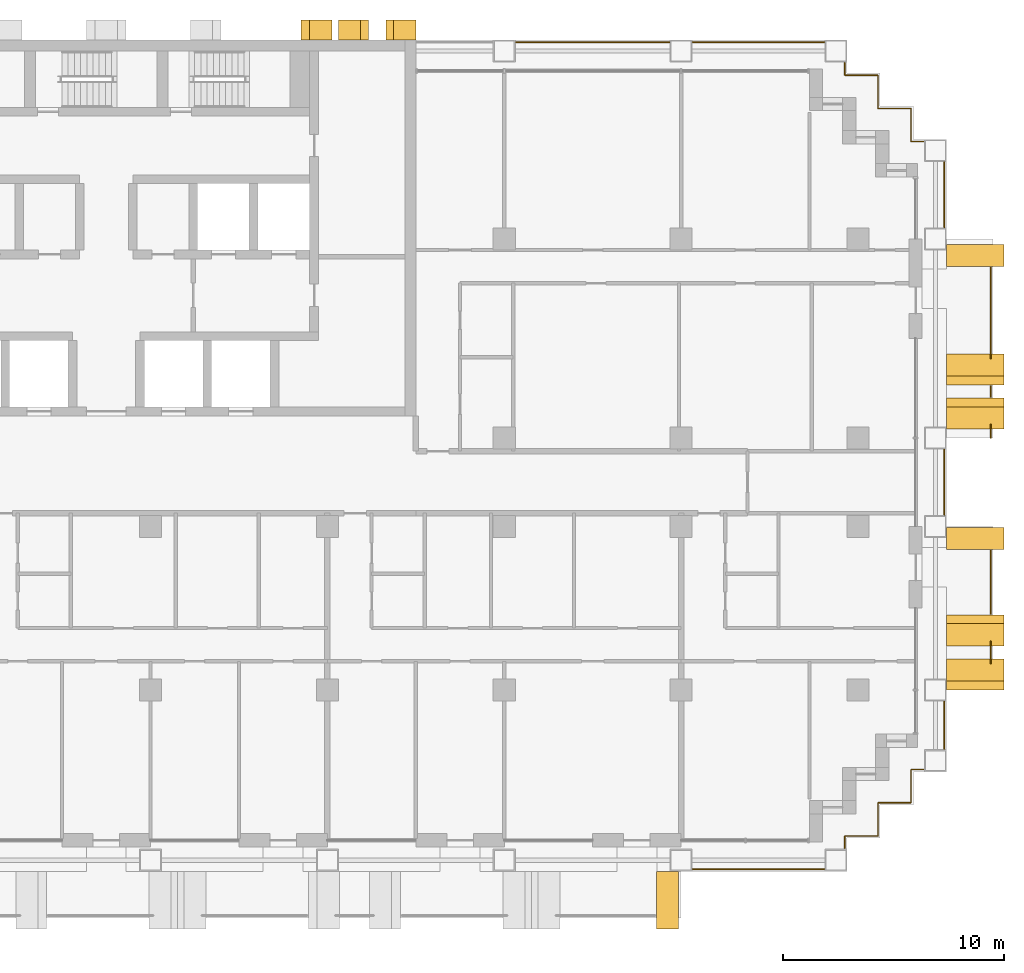
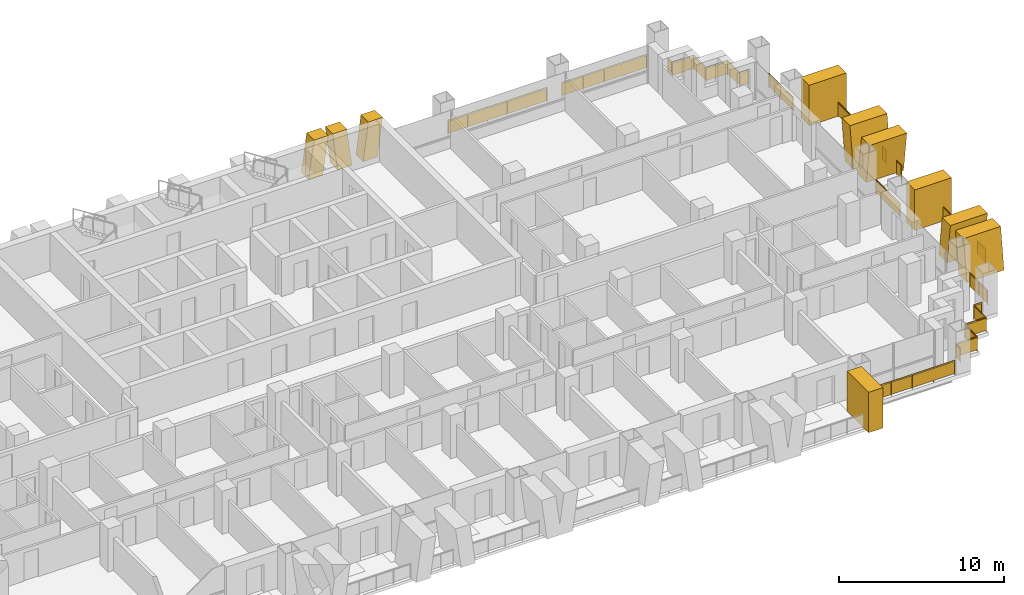
# One storey, part 19 of 19: 13 railings, 10 shading devices.
"""IFC4 building model written with IfcOpenShell, lengths in metres."""

from ifc_helpers import new_model, si_unit, direction, frame, origin, origin_2d, place, context, subcontext, project, spatial, polyline, rectangle, circle, outline, extrude, material, layer, layer_set, type_object, element, save


model = new_model("IFC4")

# Units and contexts
model_context = context("Model", 3, precision=1e-05, world=origin(), true_north=direction((0.0, 1.0)))
body_context = subcontext(model_context, "Body", "Model", "MODEL_VIEW")
ifc_project = project(units=[si_unit("LENGTHUNIT", "METRE"), si_unit("AREAUNIT", "SQUARE_METRE"), si_unit("VOLUMEUNIT", "CUBIC_METRE"), si_unit("PLANEANGLEUNIT", "RADIAN"), si_unit("MASSUNIT", "GRAM", prefix="KILO")], contexts=[model_context])

# Site, building, storey
site_placement = place(None, origin())
site = spatial("IfcSite", under=ifc_project, at=site_placement, CompositionType="ELEMENT")
building_placement = place(site_placement, origin())
building = spatial("IfcBuilding", under=site, at=building_placement, Name="Vidyagriha Tower", CompositionType="ELEMENT")
storey_placement = place(building_placement, frame((0.0, 0.0, 60.800048828125)))
storey = spatial("IfcBuildingStorey", under=building, at=storey_placement, Name="L16", CompositionType="ELEMENT", Elevation=60.800048828125)

# Railings
ifc_material_1 = material(Name="Steel ASTM A500 Grade C black painted", Category="steel")
railing_type_1 = type_object("IfcRailingType", Name="Balcony guard 1100", PredefinedType="BALUSTRADE", material=ifc_material_1)
railing_1_placement = place(storey_placement, frame((40.0, -8.19677734375, 0.0)))
element("IfcRailing", 1, at=railing_1_placement, inside=storey, type_object=railing_type_1, Name="Balcony guard L16 R30.1-1", PredefinedType="BALUSTRADE", context=body_context, shape_type="SweptSolid", body=[
    extrude(circle(Radius=0.02490234375, at=origin_2d()), frame((0.0, 0.0, 1.0751953125), z_axis=(0.0, 1.0, 0.0), x_axis=(-1.0, 0.0, 0.0)), (0.0, 0.0, 1.0), 0.993408203125),
    extrude(circle(Radius=0.02001953125, at=origin_2d()), origin(), (0.0, 0.0, 1.0), 1.050048828125),
    extrude(circle(Radius=0.02001953125, at=origin_2d()), frame((0.0, 0.993408203125, 0.0)), (0.0, 0.0, 1.0), 1.050048828125),
    extrude(rectangle(XDim=0.010009765625, YDim=0.900146484375, at=origin_2d()), frame((0.0, 0.0, 0.550048828125), z_axis=(0.0, 1.0, 0.0), x_axis=(-1.0, 0.0, 0.0)), (0.0, 0.0, 1.0), 0.993408203125),
])
railing_2_placement = place(storey_placement, frame((40.0, -5.949951171875, 0.0)))
element("IfcRailing", 2, at=railing_2_placement, inside=storey, type_object=railing_type_1, Name="Balcony guard L16 R30.1-2", PredefinedType="BALUSTRADE", context=body_context, shape_type="SweptSolid", body=[
    extrude(circle(Radius=0.02490234375, at=origin_2d()), frame((0.0, 0.0, 1.0751953125), z_axis=(0.0, 1.0, 0.0), x_axis=(-1.0, 0.0, 0.0)), (0.0, 0.0, 1.0), 2.849853515625),
    extrude(circle(Radius=0.02001953125, at=origin_2d()), origin(), (0.0, 0.0, 1.0), 1.050048828125),
    extrude(circle(Radius=0.02001953125, at=origin_2d()), frame((0.0, 0.949951171875, 0.0)), (0.0, 0.0, 1.0), 1.050048828125),
    extrude(circle(Radius=0.02001953125, at=origin_2d()), frame((0.0, 1.89990234375, 0.0)), (0.0, 0.0, 1.0), 1.050048828125),
    extrude(circle(Radius=0.02001953125, at=origin_2d()), frame((0.0, 2.849853515625, 0.0)), (0.0, 0.0, 1.0), 1.050048828125),
    extrude(rectangle(XDim=0.010009765625, YDim=0.900146484375, at=origin_2d()), frame((0.0, 0.0, 0.550048828125), z_axis=(0.0, 1.0, 0.0), x_axis=(-1.0, 0.0, 0.0)), (0.0, 0.0, 1.0), 2.849853515625),
])
railing_3_placement = place(storey_placement, frame((40.0, 2.0, 0.0)))
element("IfcRailing", 3, at=railing_3_placement, inside=storey, type_object=railing_type_1, Name="Balcony guard L16 R30.2-1", PredefinedType="BALUSTRADE", context=body_context, shape_type="SweptSolid", body=[
    extrude(circle(Radius=0.02490234375, at=origin_2d()), frame((0.0, 0.0, 1.0751953125), z_axis=(0.0, 1.0, 0.0), x_axis=(-1.0, 0.0, 0.0)), (0.0, 0.0, 1.0), 0.5966796875),
    extrude(circle(Radius=0.02001953125, at=origin_2d()), origin(), (0.0, 0.0, 1.0), 1.050048828125),
    extrude(circle(Radius=0.02001953125, at=origin_2d()), frame((0.0, 0.5966796875, 0.0)), (0.0, 0.0, 1.0), 1.050048828125),
    extrude(rectangle(XDim=0.010009765625, YDim=0.900146484375, at=origin_2d()), frame((0.0, 0.0, 0.550048828125), z_axis=(0.0, 1.0, 0.0), x_axis=(-1.0, 0.0, 0.0)), (0.0, 0.0, 1.0), 0.5966796875),
])
railing_4_placement = place(storey_placement, frame((40.0, 3.85009765625, 0.0)))
element("IfcRailing", 4, at=railing_4_placement, inside=storey, type_object=railing_type_1, Name="Balcony guard L16 R30.2-2", PredefinedType="BALUSTRADE", context=body_context, shape_type="SweptSolid", body=[
    extrude(circle(Radius=0.02490234375, at=origin_2d()), frame((0.0, 0.0, 1.0751953125), z_axis=(0.0, 1.0, 0.0), x_axis=(-1.0, 0.0, 0.0)), (0.0, 0.0, 1.0), 0.5),
    extrude(circle(Radius=0.02001953125, at=origin_2d()), origin(), (0.0, 0.0, 1.0), 1.050048828125),
    extrude(circle(Radius=0.02001953125, at=origin_2d()), frame((0.0, 0.5, 0.0)), (0.0, 0.0, 1.0), 1.050048828125),
    extrude(rectangle(XDim=0.010009765625, YDim=0.900146484375, at=origin_2d()), frame((0.0, 0.0, 0.550048828125), z_axis=(0.0, 1.0, 0.0), x_axis=(-1.0, 0.0, 0.0)), (0.0, 0.0, 1.0), 0.5),
])
railing_5_placement = place(storey_placement, frame((40.0, 5.603271484375, 0.0)))
element("IfcRailing", 5, at=railing_5_placement, inside=storey, type_object=railing_type_1, Name="Balcony guard L16 R30.2-3", PredefinedType="BALUSTRADE", context=body_context, shape_type="SweptSolid", body=[
    extrude(circle(Radius=0.02490234375, at=origin_2d()), frame((0.0, 0.0, 1.0751953125), z_axis=(0.0, 1.0, 0.0), x_axis=(-1.0, 0.0, 0.0)), (0.0, 0.0, 1.0), 4.0966796875),
    extrude(circle(Radius=0.02001953125, at=origin_2d()), origin(), (0.0, 0.0, 1.0), 1.050048828125),
    extrude(circle(Radius=0.02001953125, at=origin_2d()), frame((0.0, 1.024169921875, 0.0)), (0.0, 0.0, 1.0), 1.050048828125),
    extrude(circle(Radius=0.02001953125, at=origin_2d()), frame((0.0, 2.04833984375, 0.0)), (0.0, 0.0, 1.0), 1.050048828125),
    extrude(circle(Radius=0.02001953125, at=origin_2d()), frame((0.0, 3.072509765625, 0.0)), (0.0, 0.0, 1.0), 1.050048828125),
    extrude(circle(Radius=0.02001953125, at=origin_2d()), frame((0.0, 4.0966796875, 0.0)), (0.0, 0.0, 1.0), 1.050048828125),
    extrude(rectangle(XDim=0.010009765625, YDim=0.900146484375, at=origin_2d()), frame((0.0, 0.0, 0.550048828125), z_axis=(0.0, 1.0, 0.0), x_axis=(-1.0, 0.0, 0.0)), (0.0, 0.0, 1.0), 4.0966796875),
])

# Shading devices
ifc_material_2 = material(Name="Precast concrete C40/50 with buff brick facing", Category="concrete")
ifc_layer_1 = layer(ifc_material_2, 1.0)
ifc_layer_set_1 = layer_set([ifc_layer_1], Name="Precast concrete C40/50 with buff brick facing")
shading_device_type_1 = type_object("IfcShadingDeviceType", Name="Brick-faced blade fin arm leaning 8 degrees", PredefinedType="USERDEFINED", material=ifc_layer_set_1)
shading_device_1_placement = place(storey_placement, frame((39.300048828125, -7.39990234375, 0.0), z_axis=(0.0, 0.0, 1.0), x_axis=(0.0, 1.0, 0.0)))
element("IfcShadingDevice", 6, at=shading_device_1_placement, inside=storey, type_object=shading_device_type_1, Name="Leaning blade fin L16 R30.200a", ObjectType="BLADE FIN", PredefinedType="USERDEFINED", context=body_context, shape_type="SweptSolid", body=[
    extrude(outline(polyline([(0.39990234375, 0.0), (1.39990234375, 0.0), (1.0, 3.0), (0.0, 3.0), (0.39990234375, 0.0)])), frame((0.0, 1.300048828125, 0.0), z_axis=(0.0, -1.0, 0.0), x_axis=(1.0, 0.0, 0.0)), (0.0, 0.0, 1.0), 2.60009765625),
])
for number, where, z_axis, x_axis, name in (
    (7, (39.300048828125, -9.39990234375, 0.0), (0.0, 0.0, 1.0), (0.0, 1.0, 0.0), "Leaning blade fin L16 R30.200b"),
    (8, (39.300048828125, 4.39990234375, 0.0), (0.0, 0.0, 1.0), (0.0, 1.0, 0.0), "Leaning blade fin L16 R30.1340a"),
):
    element("IfcShadingDevice", number, at=place(storey_placement, frame(where, z_axis=z_axis, x_axis=x_axis)), inside=storey, type_object=shading_device_type_1, Name=name, ObjectType="BLADE FIN", PredefinedType="USERDEFINED", context=body_context, shape_type="SweptSolid", body=[
        extrude(outline(polyline([(0.0, 0.0), (1.0, 0.0), (1.39990234375, 3.0), (0.39990234375, 3.0), (0.0, 0.0)])), frame((0.0, 1.300048828125, 0.0), z_axis=(0.0, -1.0, 0.0), x_axis=(1.0, 0.0, 0.0)), (0.0, 0.0, 1.0), 2.60009765625),
    ])
shading_device_2_placement = place(storey_placement, frame((39.300048828125, 2.39990234375, 0.0), z_axis=(0.0, 0.0, 1.0), x_axis=(0.0, 1.0, 0.0)))
element("IfcShadingDevice", 9, at=shading_device_2_placement, inside=storey, type_object=shading_device_type_1, Name="Leaning blade fin L16 R30.1340b", ObjectType="BLADE FIN", PredefinedType="USERDEFINED", context=body_context, shape_type="SweptSolid", body=[
    extrude(outline(polyline([(0.39990234375, 0.0), (1.39990234375, 0.0), (1.0, 3.0), (0.0, 3.0), (0.39990234375, 0.0)])), frame((0.0, 1.300048828125, 0.0), z_axis=(0.0, -1.0, 0.0), x_axis=(1.0, 0.0, 0.0)), (0.0, 0.0, 1.0), 2.60009765625),
])
ifc_material_3 = material(Name="Precast concrete C40/50 with buff brick facing", Category="concrete")
ifc_layer_2 = layer(ifc_material_3, 1.0)
ifc_layer_set_2 = layer_set([ifc_layer_2], Name="Precast concrete C40/50 with buff brick facing")
shading_device_type_2 = type_object("IfcShadingDeviceType", Name="Brick-faced blade fin stem 1000", PredefinedType="USERDEFINED", material=ifc_layer_set_2)
shading_device_3_placement = place(storey_placement, frame((24.875, -18.89990234375, 0.0)))
element("IfcShadingDevice", 10, at=shading_device_3_placement, inside=storey, type_object=shading_device_type_2, Name="Stem blade fin L16 R23.5780a", ObjectType="BLADE FIN", PredefinedType="USERDEFINED", context=body_context, shape_type="SweptSolid", body=[
    extrude(outline(polyline([(0.0, 0.0), (1.0, 0.0), (1.0, 3.0), (0.0, 3.0), (0.0, 0.0)])), frame((0.0, 1.300048828125, 0.0), z_axis=(0.0, -1.0, 0.0), x_axis=(1.0, 0.0, 0.0)), (0.0, 0.0, 1.0), 2.60009765625),
])
for number, where, z_axis, x_axis, name in (
    (11, (39.300048828125, -3.050048828125, 0.0), (0.0, 0.0, 1.0), (0.0, 1.0, 0.0), "Stem blade fin L16 R30.940a"),
    (12, (39.300048828125, 9.75, 0.0), (0.0, 0.0, 1.0), (0.0, 1.0, 0.0), "Stem blade fin L16 R30.2240a"),
):
    element("IfcShadingDevice", number, at=place(storey_placement, frame(where, z_axis=z_axis, x_axis=x_axis)), inside=storey, type_object=shading_device_type_2, Name=name, ObjectType="BLADE FIN", PredefinedType="USERDEFINED", context=body_context, shape_type="SweptSolid", body=[
        extrude(outline(polyline([(0.0, 0.0), (1.0, 0.0), (1.0, 3.0), (0.0, 3.0), (0.0, 0.0)])), frame((0.0, 1.300048828125, 0.0), z_axis=(0.0, -1.0, 0.0), x_axis=(1.0, 0.0, 0.0)), (0.0, 0.0, 1.0), 2.60009765625),
    ])
ifc_material_4 = material(Name="Precast concrete C40/50 with brick facing", Category="concrete")
ifc_layer_3 = layer(ifc_material_4, 1.0)
ifc_layer_set_3 = layer_set([ifc_layer_3], Name="Precast concrete C40/50 with brick facing")
shading_device_type_3 = type_object("IfcShadingDeviceType", Name="Brick-faced rear rib arm leaning 8 degrees", PredefinedType="USERDEFINED", material=ifc_layer_set_3)
shading_device_4_placement = place(storey_placement, frame((11.857177734375, 20.449951171875, 0.0), z_axis=(0.0, 0.0, 1.0), x_axis=(-1.0, 0.0, 0.0)))
element("IfcShadingDevice", 13, at=shading_device_4_placement, inside=storey, type_object=shading_device_type_3, Name="Rear rib arm L16 R08.1a", ObjectType="BLADE FIN", PredefinedType="USERDEFINED", context=body_context, shape_type="SweptSolid", body=[
    extrude(outline(polyline([(0.0, 0.0), (1.0, 0.0), (1.357177734375, 2.800048828125), (0.357177734375, 2.800048828125), (0.0, 0.0)])), frame((0.0, 0.449951171875, 0.0), z_axis=(0.0, -1.0, 0.0), x_axis=(1.0, 0.0, 0.0)), (0.0, 0.0, 1.0), 0.89990234375),
])
shading_device_5_placement = place(storey_placement, frame((14.0, 20.449951171875, 0.0), z_axis=(0.0, 0.0, 1.0), x_axis=(-1.0, 0.0, 0.0)))
element("IfcShadingDevice", 14, at=shading_device_5_placement, inside=storey, type_object=shading_device_type_3, Name="Rear rib arm L16 R08.1b", ObjectType="BLADE FIN", PredefinedType="USERDEFINED", context=body_context, shape_type="SweptSolid", body=[
    extrude(outline(polyline([(0.357177734375, 0.0), (1.357177734375, 0.0), (1.0, 2.800048828125), (0.0, 2.800048828125), (0.357177734375, 0.0)])), frame((0.0, 0.449951171875, 0.0), z_axis=(0.0, -1.0, 0.0), x_axis=(1.0, 0.0, 0.0)), (0.0, 0.0, 1.0), 0.89990234375),
])
shading_device_6_placement = place(storey_placement, frame((10.199951171875, 20.449951171875, 0.0), z_axis=(0.0, 0.0, 1.0), x_axis=(-1.0, 0.0, 0.0)))
element("IfcShadingDevice", 15, at=shading_device_6_placement, inside=storey, type_object=shading_device_type_3, Name="Rear rib arm L16 R08.2b", ObjectType="BLADE FIN", PredefinedType="USERDEFINED", context=body_context, shape_type="SweptSolid", body=[
    extrude(outline(polyline([(0.3857421875, 0.0), (1.3857421875, 0.0), (1.0, 2.800048828125), (0.0, 2.800048828125), (0.3857421875, 0.0)])), frame((0.0, 0.449951171875, 0.0), z_axis=(0.0, -1.0, 0.0), x_axis=(1.0, 0.0, 0.0)), (0.0, 0.0, 1.0), 0.89990234375),
])

# Railings
ifc_material_5 = material(Name="Steel ASTM A500 Grade C black painted", Category="steel")
railing_type_2 = type_object("IfcRailingType", Name="Gallery guard 1100", PredefinedType="GUARDRAIL", material=ifc_material_5)
railing_6_placement = place(storey_placement, frame((18.530029296875, 19.89990234375, 0.0)))
element("IfcRailing", 16, at=railing_6_placement, inside=storey, type_object=railing_type_2, Name="Gallery guard L16 11", PredefinedType="GUARDRAIL", context=body_context, shape_type="SweptSolid", body=[
    extrude(circle(Radius=0.02490234375, at=origin_2d()), frame((0.0, 0.0, 1.0751953125), z_axis=(1.0, 0.0, 0.0), x_axis=(0.0, 1.0, 0.0)), (0.0, 0.0, 1.0), 6.93994140625),
    extrude(circle(Radius=0.02001953125, at=origin_2d()), origin(), (0.0, 0.0, 1.0), 1.050048828125),
    extrude(circle(Radius=0.02001953125, at=origin_2d()), frame((1.387939453125, 0.0, 0.0)), (0.0, 0.0, 1.0), 1.050048828125),
    extrude(circle(Radius=0.02001953125, at=origin_2d()), frame((2.77587890625, 0.0, 0.0)), (0.0, 0.0, 1.0), 1.050048828125),
    extrude(circle(Radius=0.02001953125, at=origin_2d()), frame((4.1640625, 0.0, 0.0)), (0.0, 0.0, 1.0), 1.050048828125),
    extrude(circle(Radius=0.02001953125, at=origin_2d()), frame((5.552001953125, 0.0, 0.0)), (0.0, 0.0, 1.0), 1.050048828125),
    extrude(circle(Radius=0.02001953125, at=origin_2d()), frame((6.93994140625, 0.0, 0.0)), (0.0, 0.0, 1.0), 1.050048828125),
    extrude(rectangle(XDim=0.010009765625, YDim=0.900146484375, at=origin_2d()), frame((0.0, 0.0, 0.550048828125), z_axis=(1.0, 0.0, 0.0), x_axis=(0.0, 1.0, 0.0)), (0.0, 0.0, 1.0), 6.93994140625),
])
railing_7_placement = place(storey_placement, frame((32.469970703125, -17.5, 0.0)))
element("IfcRailing", 17, at=railing_7_placement, inside=storey, type_object=railing_type_2, Name="Gallery guard L16 12", PredefinedType="GUARDRAIL", context=body_context, shape_type="SweptSolid", body=[
    extrude(circle(Radius=0.02490234375, at=origin_2d()), frame((0.0, 0.0, 1.0751953125), z_axis=(-1.0, 0.0, 0.0), x_axis=(0.0, -1.0, 0.0)), (0.0, 0.0, 1.0), 5.93994140625),
    extrude(circle(Radius=0.02001953125, at=origin_2d()), origin(), (0.0, 0.0, 1.0), 1.050048828125),
    extrude(circle(Radius=0.02001953125, at=origin_2d()), frame((-1.48486328125, 0.0, 0.0)), (0.0, 0.0, 1.0), 1.050048828125),
    extrude(circle(Radius=0.02001953125, at=origin_2d()), frame((-2.969970703125, 0.0, 0.0)), (0.0, 0.0, 1.0), 1.050048828125),
    extrude(circle(Radius=0.02001953125, at=origin_2d()), frame((-4.455078125, 0.0, 0.0)), (0.0, 0.0, 1.0), 1.050048828125),
    extrude(circle(Radius=0.02001953125, at=origin_2d()), frame((-5.93994140625, 0.0, 0.0)), (0.0, 0.0, 1.0), 1.050048828125),
    extrude(rectangle(XDim=0.010009765625, YDim=0.900146484375, at=origin_2d()), frame((0.0, 0.0, 0.550048828125), z_axis=(-1.0, 0.0, 0.0), x_axis=(0.0, -1.0, 0.0)), (0.0, 0.0, 1.0), 5.93994140625),
])
railing_8_placement = place(storey_placement, frame((26.530029296875, 19.89990234375, 0.0)))
element("IfcRailing", 18, at=railing_8_placement, inside=storey, type_object=railing_type_2, Name="Gallery guard L16 13", PredefinedType="GUARDRAIL", context=body_context, shape_type="SweptSolid", body=[
    extrude(circle(Radius=0.02490234375, at=origin_2d()), frame((0.0, 0.0, 1.0751953125), z_axis=(1.0, 0.0, 0.0), x_axis=(0.0, 1.0, 0.0)), (0.0, 0.0, 1.0), 5.93994140625),
    extrude(circle(Radius=0.02001953125, at=origin_2d()), origin(), (0.0, 0.0, 1.0), 1.050048828125),
    extrude(circle(Radius=0.02001953125, at=origin_2d()), frame((1.48486328125, 0.0, 0.0)), (0.0, 0.0, 1.0), 1.050048828125),
    extrude(circle(Radius=0.02001953125, at=origin_2d()), frame((2.969970703125, 0.0, 0.0)), (0.0, 0.0, 1.0), 1.050048828125),
    extrude(circle(Radius=0.02001953125, at=origin_2d()), frame((4.455078125, 0.0, 0.0)), (0.0, 0.0, 1.0), 1.050048828125),
    extrude(circle(Radius=0.02001953125, at=origin_2d()), frame((5.93994140625, 0.0, 0.0)), (0.0, 0.0, 1.0), 1.050048828125),
    extrude(rectangle(XDim=0.010009765625, YDim=0.900146484375, at=origin_2d()), frame((0.0, 0.0, 0.550048828125), z_axis=(1.0, 0.0, 0.0), x_axis=(0.0, 1.0, 0.0)), (0.0, 0.0, 1.0), 5.93994140625),
])
railing_9_placement = place(storey_placement, frame((36.969970703125, -13.0, 0.0)))
element("IfcRailing", 19, at=railing_9_placement, inside=storey, type_object=railing_type_2, Name="Gallery guard L16 14", PredefinedType="GUARDRAIL", context=body_context, shape_type="SweptSolid", body=[
    extrude(circle(Radius=0.02490234375, at=origin_2d()), frame((0.0, 0.0, 1.0751953125), z_axis=(-1.0, 0.0, 0.0), x_axis=(0.0, -1.0, 0.0)), (0.0, 0.0, 1.0), 0.570068359375),
    extrude(circle(Radius=0.02490234375, at=origin_2d()), frame((-0.570068359375, 0.0, 1.0751953125), z_axis=(0.0, -1.0, 0.0), x_axis=(1.0, 0.0, 0.0)), (0.0, 0.0, 1.0), 1.5),
    extrude(circle(Radius=0.02490234375, at=origin_2d()), frame((-0.570068359375, -1.5, 1.0751953125), z_axis=(-1.0, 0.0, 0.0), x_axis=(0.0, -1.0, 0.0)), (0.0, 0.0, 1.0), 1.5),
    extrude(circle(Radius=0.02490234375, at=origin_2d()), frame((-2.070068359375, -1.5, 1.0751953125), z_axis=(0.0, -1.0, 0.0), x_axis=(1.0, 0.0, 0.0)), (0.0, 0.0, 1.0), 1.5),
    extrude(circle(Radius=0.02490234375, at=origin_2d()), frame((-2.070068359375, -3.0, 1.0751953125), z_axis=(-1.0, 0.0, 0.0), x_axis=(0.0, -1.0, 0.0)), (0.0, 0.0, 1.0), 1.5),
    extrude(circle(Radius=0.02490234375, at=origin_2d()), frame((-3.570068359375, -3.0, 1.0751953125), z_axis=(0.0, -1.0, 0.0), x_axis=(1.0, 0.0, 0.0)), (0.0, 0.0, 1.0), 0.570068359375),
    extrude(circle(Radius=0.02001953125, at=origin_2d()), origin(), (0.0, 0.0, 1.0), 1.050048828125),
    extrude(circle(Radius=0.02001953125, at=origin_2d()), frame((-0.570068359375, 0.0, 0.0)), (0.0, 0.0, 1.0), 1.050048828125),
    extrude(circle(Radius=0.02001953125, at=origin_2d()), frame((-0.570068359375, -1.5, 0.0)), (0.0, 0.0, 1.0), 1.050048828125),
    extrude(circle(Radius=0.02001953125, at=origin_2d()), frame((-2.070068359375, -1.5, 0.0)), (0.0, 0.0, 1.0), 1.050048828125),
    extrude(circle(Radius=0.02001953125, at=origin_2d()), frame((-2.070068359375, -3.0, 0.0)), (0.0, 0.0, 1.0), 1.050048828125),
    extrude(circle(Radius=0.02001953125, at=origin_2d()), frame((-3.570068359375, -3.0, 0.0)), (0.0, 0.0, 1.0), 1.050048828125),
    extrude(circle(Radius=0.02001953125, at=origin_2d()), frame((-3.570068359375, -3.570068359375, 0.0)), (0.0, 0.0, 1.0), 1.050048828125),
    extrude(rectangle(XDim=0.010009765625, YDim=0.900146484375, at=origin_2d()), frame((0.0, 0.0, 0.550048828125), z_axis=(-1.0, 0.0, 0.0), x_axis=(0.0, -1.0, 0.0)), (0.0, 0.0, 1.0), 0.570068359375),
    extrude(rectangle(XDim=0.010009765625, YDim=0.900146484375, at=origin_2d()), frame((-0.570068359375, 0.0, 0.550048828125), z_axis=(0.0, -1.0, 0.0), x_axis=(1.0, 0.0, 0.0)), (0.0, 0.0, 1.0), 1.5),
    extrude(rectangle(XDim=0.010009765625, YDim=0.900146484375, at=origin_2d()), frame((-0.570068359375, -1.5, 0.550048828125), z_axis=(-1.0, 0.0, 0.0), x_axis=(0.0, -1.0, 0.0)), (0.0, 0.0, 1.0), 1.5),
    extrude(rectangle(XDim=0.010009765625, YDim=0.900146484375, at=origin_2d()), frame((-2.070068359375, -1.5, 0.550048828125), z_axis=(0.0, -1.0, 0.0), x_axis=(1.0, 0.0, 0.0)), (0.0, 0.0, 1.0), 1.5),
    extrude(rectangle(XDim=0.010009765625, YDim=0.900146484375, at=origin_2d()), frame((-2.070068359375, -3.0, 0.550048828125), z_axis=(-1.0, 0.0, 0.0), x_axis=(0.0, -1.0, 0.0)), (0.0, 0.0, 1.0), 1.5),
    extrude(rectangle(XDim=0.010009765625, YDim=0.900146484375, at=origin_2d()), frame((-3.570068359375, -3.0, 0.550048828125), z_axis=(0.0, -1.0, 0.0), x_axis=(1.0, 0.0, 0.0)), (0.0, 0.0, 1.0), 0.570068359375),
])
railing_10_placement = place(storey_placement, frame((33.39990234375, 18.969970703125, 0.0)))
element("IfcRailing", 20, at=railing_10_placement, inside=storey, type_object=railing_type_2, Name="Gallery guard L16 15", PredefinedType="GUARDRAIL", context=body_context, shape_type="SweptSolid", body=[
    extrude(circle(Radius=0.02490234375, at=origin_2d()), frame((0.0, 0.0, 1.0751953125), z_axis=(0.0, -1.0, 0.0), x_axis=(1.0, 0.0, 0.0)), (0.0, 0.0, 1.0), 0.570068359375),
    extrude(circle(Radius=0.02490234375, at=origin_2d()), frame((0.0, -0.570068359375, 1.0751953125), z_axis=(1.0, 0.0, 0.0), x_axis=(0.0, 1.0, 0.0)), (0.0, 0.0, 1.0), 1.5),
    extrude(circle(Radius=0.02490234375, at=origin_2d()), frame((1.5, -0.570068359375, 1.0751953125), z_axis=(0.0, -1.0, 0.0), x_axis=(1.0, 0.0, 0.0)), (0.0, 0.0, 1.0), 1.5),
    extrude(circle(Radius=0.02490234375, at=origin_2d()), frame((1.5, -2.070068359375, 1.0751953125), z_axis=(1.0, 0.0, 0.0), x_axis=(0.0, 1.0, 0.0)), (0.0, 0.0, 1.0), 1.5),
    extrude(circle(Radius=0.02490234375, at=origin_2d()), frame((3.0, -2.070068359375, 1.0751953125), z_axis=(0.0, -1.0, 0.0), x_axis=(1.0, 0.0, 0.0)), (0.0, 0.0, 1.0), 1.5),
    extrude(circle(Radius=0.02490234375, at=origin_2d()), frame((3.0, -3.570068359375, 1.0751953125), z_axis=(1.0, 0.0, 0.0), x_axis=(0.0, 1.0, 0.0)), (0.0, 0.0, 1.0), 0.570068359375),
    extrude(circle(Radius=0.02001953125, at=origin_2d()), origin(), (0.0, 0.0, 1.0), 1.050048828125),
    extrude(circle(Radius=0.02001953125, at=origin_2d()), frame((0.0, -0.570068359375, 0.0)), (0.0, 0.0, 1.0), 1.050048828125),
    extrude(circle(Radius=0.02001953125, at=origin_2d()), frame((1.5, -0.570068359375, 0.0)), (0.0, 0.0, 1.0), 1.050048828125),
    extrude(circle(Radius=0.02001953125, at=origin_2d()), frame((1.5, -2.070068359375, 0.0)), (0.0, 0.0, 1.0), 1.050048828125),
    extrude(circle(Radius=0.02001953125, at=origin_2d()), frame((3.0, -2.070068359375, 0.0)), (0.0, 0.0, 1.0), 1.050048828125),
    extrude(circle(Radius=0.02001953125, at=origin_2d()), frame((3.0, -3.570068359375, 0.0)), (0.0, 0.0, 1.0), 1.050048828125),
    extrude(circle(Radius=0.02001953125, at=origin_2d()), frame((3.570068359375, -3.570068359375, 0.0)), (0.0, 0.0, 1.0), 1.050048828125),
    extrude(rectangle(XDim=0.010009765625, YDim=0.900146484375, at=origin_2d()), frame((0.0, 0.0, 0.550048828125), z_axis=(0.0, -1.0, 0.0), x_axis=(1.0, 0.0, 0.0)), (0.0, 0.0, 1.0), 0.570068359375),
    extrude(rectangle(XDim=0.010009765625, YDim=0.900146484375, at=origin_2d()), frame((0.0, -0.570068359375, 0.550048828125), z_axis=(1.0, 0.0, 0.0), x_axis=(0.0, 1.0, 0.0)), (0.0, 0.0, 1.0), 1.5),
    extrude(rectangle(XDim=0.010009765625, YDim=0.900146484375, at=origin_2d()), frame((1.5, -0.570068359375, 0.550048828125), z_axis=(0.0, -1.0, 0.0), x_axis=(1.0, 0.0, 0.0)), (0.0, 0.0, 1.0), 1.5),
    extrude(rectangle(XDim=0.010009765625, YDim=0.900146484375, at=origin_2d()), frame((1.5, -2.070068359375, 0.550048828125), z_axis=(1.0, 0.0, 0.0), x_axis=(0.0, 1.0, 0.0)), (0.0, 0.0, 1.0), 1.5),
    extrude(rectangle(XDim=0.010009765625, YDim=0.900146484375, at=origin_2d()), frame((3.0, -2.070068359375, 0.550048828125), z_axis=(0.0, -1.0, 0.0), x_axis=(1.0, 0.0, 0.0)), (0.0, 0.0, 1.0), 1.5),
    extrude(rectangle(XDim=0.010009765625, YDim=0.900146484375, at=origin_2d()), frame((3.0, -3.570068359375, 0.550048828125), z_axis=(1.0, 0.0, 0.0), x_axis=(0.0, 1.0, 0.0)), (0.0, 0.0, 1.0), 0.570068359375),
])
railing_11_placement = place(storey_placement, frame((37.89990234375, -9.929931640625, 0.0)))
element("IfcRailing", 21, at=railing_11_placement, inside=storey, type_object=railing_type_2, Name="Gallery guard L16 16", PredefinedType="GUARDRAIL", context=body_context, shape_type="SweptSolid", body=[
    extrude(circle(Radius=0.02490234375, at=origin_2d()), frame((0.0, 0.0, 1.0751953125), z_axis=(0.0, -1.0, 0.0), x_axis=(1.0, 0.0, 0.0)), (0.0, 0.0, 1.0), 2.14013671875),
    extrude(circle(Radius=0.02001953125, at=origin_2d()), origin(), (0.0, 0.0, 1.0), 1.050048828125),
    extrude(circle(Radius=0.02001953125, at=origin_2d()), frame((0.0, -1.070068359375, 0.0)), (0.0, 0.0, 1.0), 1.050048828125),
    extrude(circle(Radius=0.02001953125, at=origin_2d()), frame((0.0, -2.14013671875, 0.0)), (0.0, 0.0, 1.0), 1.050048828125),
    extrude(rectangle(XDim=0.010009765625, YDim=0.900146484375, at=origin_2d()), frame((0.0, 0.0, 0.550048828125), z_axis=(0.0, -1.0, 0.0), x_axis=(1.0, 0.0, 0.0)), (0.0, 0.0, 1.0), 2.14013671875),
])
for number, where, name in (
    (22, (37.89990234375, 1.469970703125, 0.0), "Gallery guard L16 17"),
    (23, (37.89990234375, 14.469970703125, 0.0), "Gallery guard L16 18"),
):
    element("IfcRailing", number, at=place(storey_placement, frame(where)), inside=storey, type_object=railing_type_2, Name=name, PredefinedType="GUARDRAIL", context=body_context, shape_type="SweptSolid", body=[
        extrude(circle(Radius=0.02490234375, at=origin_2d()), frame((0.0, 0.0, 1.0751953125), z_axis=(0.0, -1.0, 0.0), x_axis=(1.0, 0.0, 0.0)), (0.0, 0.0, 1.0), 2.93994140625),
        extrude(circle(Radius=0.02001953125, at=origin_2d()), origin(), (0.0, 0.0, 1.0), 1.050048828125),
        extrude(circle(Radius=0.02001953125, at=origin_2d()), frame((0.0, -1.469970703125, 0.0)), (0.0, 0.0, 1.0), 1.050048828125),
        extrude(circle(Radius=0.02001953125, at=origin_2d()), frame((0.0, -2.93994140625, 0.0)), (0.0, 0.0, 1.0), 1.050048828125),
        extrude(rectangle(XDim=0.010009765625, YDim=0.900146484375, at=origin_2d()), frame((0.0, 0.0, 0.550048828125), z_axis=(0.0, -1.0, 0.0), x_axis=(1.0, 0.0, 0.0)), (0.0, 0.0, 1.0), 2.93994140625),
    ])

save(model, "model.ifc")
